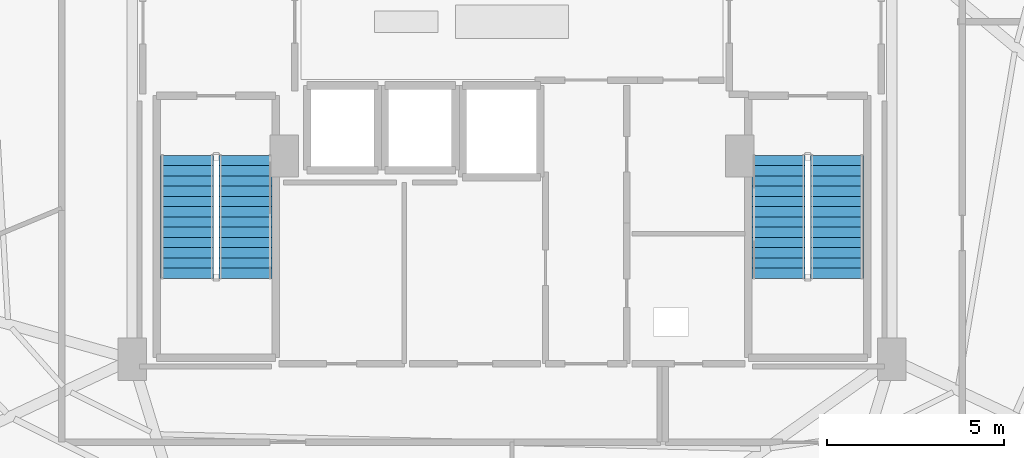
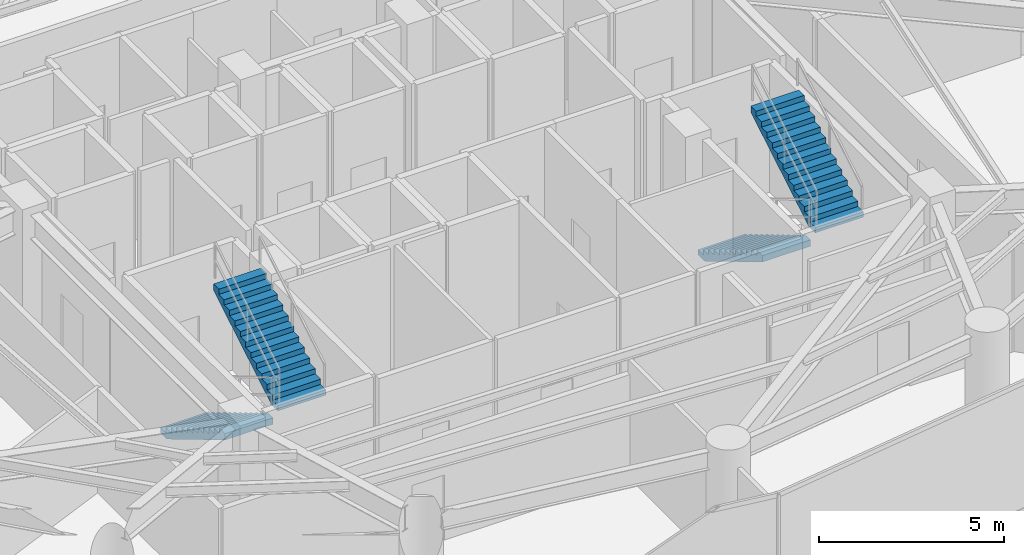
# One storey, part 23 of 27: 4 stair flights, 2 elements without a shape of their own.
"""IFC4 building model written with IfcOpenShell, lengths in metres."""

from ifc_helpers import new_model, si_unit, direction, frame, origin, place, context, subcontext, project, spatial, polyline, outline, extrude, material, type_object, element, aggregate, save


model = new_model("IFC4")

# Units and contexts
model_context = context("Model", 3, precision=1e-05, world=origin(), true_north=direction((0.0, 1.0)))
body_context = subcontext(model_context, "Body", "Model", "MODEL_VIEW")
ifc_project = project(units=[si_unit("LENGTHUNIT", "METRE"), si_unit("AREAUNIT", "SQUARE_METRE"), si_unit("VOLUMEUNIT", "CUBIC_METRE"), si_unit("PLANEANGLEUNIT", "RADIAN"), si_unit("MASSUNIT", "GRAM", prefix="KILO")], contexts=[model_context])

# Site, building, storey
site_placement = place(None, origin())
site = spatial("IfcSite", under=ifc_project, at=site_placement, CompositionType="ELEMENT")
building_placement = place(site_placement, origin())
building = spatial("IfcBuilding", under=site, at=building_placement, Name="Vorneva Point Tower", CompositionType="ELEMENT")
storey_placement = place(building_placement, frame((0.0, 0.0, 74.300048828125)))
storey = spatial("IfcBuildingStorey", under=building, at=storey_placement, Name="L19", CompositionType="ELEMENT", Elevation=74.300048828125)

# Stair, stair flights
ifc_material = material(Name="Concrete B50 (C40/50)", Category="concrete")
stair_type = type_object("IfcStairType", Name="ST-DOG-1500", PredefinedType="HALF_TURN_STAIR", material=ifc_material)
stair_1_placement = place(storey_placement, origin())
stair_1 = element("IfcStair", 1, at=stair_1_placement, inside=storey, type_object=stair_type, Name="L19 ST1", PredefinedType="HALF_TURN_STAIR")
stair_flight_type = type_object("IfcStairFlightType", Name="STF-1500", PredefinedType="STRAIGHT", material=ifc_material)
stair_flight_1_placement = place(storey_placement, frame((28.800048828125, 22.219970703125, 0.0), z_axis=(0.0, 0.0, 1.0), x_axis=(0.0, -1.0, 0.0)))
stair_flight_1 = element("IfcStairFlight", 2, at=stair_flight_1_placement, type_object=stair_flight_type, Name="ST1 flight 1", NumberOfRisers=13, NumberOfTreads=12, PredefinedType="STRAIGHT", RiserHeight=0.173076923, TreadLength=0.29, context=body_context, shape_type="SweptSolid", body=[
    extrude(outline(polyline([(0.0, 0.0), (0.0, 0.173095703125), (0.2900390625, 0.173095703125), (0.2900390625, 0.34619140625), (0.580078125, 0.34619140625), (0.580078125, 0.519287109375), (0.8701171875, 0.519287109375), (0.8701171875, 0.6923828125), (1.159912109375, 0.6923828125), (1.159912109375, 0.865478515625), (1.449951171875, 0.865478515625), (1.449951171875, 1.03857421875), (1.739990234375, 1.03857421875), (1.739990234375, 1.21142578125), (2.030029296875, 1.21142578125), (2.030029296875, 1.384521484375), (2.320068359375, 1.384521484375), (2.320068359375, 1.5576171875), (2.610107421875, 1.5576171875), (2.610107421875, 1.730712890625), (2.89990234375, 1.730712890625), (2.89990234375, 1.90380859375), (3.18994140625, 1.90380859375), (3.18994140625, 2.076904296875), (3.47998046875, 2.076904296875), (3.47998046875, 2.25), (3.47998046875, 1.867431640625), (0.35107421875, 0.0), (0.0, 0.0)])), frame((0.0, 0.75, 0.0), z_axis=(0.0, -1.0, 0.0), x_axis=(1.0, 0.0, 0.0)), (0.0, 0.0, 1.0), 1.5),
])
stair_flight_2_placement = place(storey_placement, frame((30.449951171875, 18.739990234375, 2.25), z_axis=(0.0, 0.0, 1.0), x_axis=(0.0, 1.0, 0.0)))
stair_flight_2 = element("IfcStairFlight", 3, at=stair_flight_2_placement, type_object=stair_flight_type, Name="ST1 flight 2", NumberOfRisers=13, NumberOfTreads=12, PredefinedType="STRAIGHT", RiserHeight=0.173076923, TreadLength=0.29, context=body_context, shape_type="SweptSolid", body=[
    extrude(outline(polyline([(0.0, 0.0), (0.0, 0.173095703125), (0.2900390625, 0.173095703125), (0.2900390625, 0.34619140625), (0.580078125, 0.34619140625), (0.580078125, 0.519287109375), (0.8701171875, 0.519287109375), (0.8701171875, 0.6923828125), (1.159912109375, 0.6923828125), (1.159912109375, 0.865478515625), (1.449951171875, 0.865478515625), (1.449951171875, 1.03857421875), (1.739990234375, 1.03857421875), (1.739990234375, 1.21142578125), (2.030029296875, 1.21142578125), (2.030029296875, 1.384521484375), (2.320068359375, 1.384521484375), (2.320068359375, 1.5576171875), (2.610107421875, 1.5576171875), (2.610107421875, 1.730712890625), (2.89990234375, 1.730712890625), (2.89990234375, 1.90380859375), (3.18994140625, 1.90380859375), (3.18994140625, 2.076904296875), (3.47998046875, 2.076904296875), (3.47998046875, 2.25), (3.47998046875, 1.867431640625), (0.35107421875, 0.0), (0.0, 0.0)])), frame((0.0, 0.75, 0.0), z_axis=(0.0, -1.0, 0.0), x_axis=(1.0, 0.0, 0.0)), (0.0, 0.0, 1.0), 1.5),
])
aggregate(stair_1, [stair_flight_1, stair_flight_2])

stair_2_placement = place(storey_placement, origin())
stair_2 = element("IfcStair", 4, at=stair_2_placement, inside=storey, type_object=stair_type, Name="L19 ST2", PredefinedType="HALF_TURN_STAIR")
stair_flight_3_placement = place(storey_placement, frame((45.550048828125, 22.219970703125, 0.0), z_axis=(0.0, 0.0, 1.0), x_axis=(0.0, -1.0, 0.0)))
stair_flight_3 = element("IfcStairFlight", 5, at=stair_flight_3_placement, type_object=stair_flight_type, Name="ST2 flight 1", NumberOfRisers=13, NumberOfTreads=12, PredefinedType="STRAIGHT", RiserHeight=0.173076923, TreadLength=0.29, context=body_context, shape_type="SweptSolid", body=[
    extrude(outline(polyline([(0.0, 0.0), (0.0, 0.173095703125), (0.2900390625, 0.173095703125), (0.2900390625, 0.34619140625), (0.580078125, 0.34619140625), (0.580078125, 0.519287109375), (0.8701171875, 0.519287109375), (0.8701171875, 0.6923828125), (1.159912109375, 0.6923828125), (1.159912109375, 0.865478515625), (1.449951171875, 0.865478515625), (1.449951171875, 1.03857421875), (1.739990234375, 1.03857421875), (1.739990234375, 1.21142578125), (2.030029296875, 1.21142578125), (2.030029296875, 1.384521484375), (2.320068359375, 1.384521484375), (2.320068359375, 1.5576171875), (2.610107421875, 1.5576171875), (2.610107421875, 1.730712890625), (2.89990234375, 1.730712890625), (2.89990234375, 1.90380859375), (3.18994140625, 1.90380859375), (3.18994140625, 2.076904296875), (3.47998046875, 2.076904296875), (3.47998046875, 2.25), (3.47998046875, 1.867431640625), (0.35107421875, 0.0), (0.0, 0.0)])), frame((0.0, 0.75, 0.0), z_axis=(0.0, -1.0, 0.0), x_axis=(1.0, 0.0, 0.0)), (0.0, 0.0, 1.0), 1.5),
])
stair_flight_4_placement = place(storey_placement, frame((47.199951171875, 18.739990234375, 2.25), z_axis=(0.0, 0.0, 1.0), x_axis=(0.0, 1.0, 0.0)))
stair_flight_4 = element("IfcStairFlight", 6, at=stair_flight_4_placement, type_object=stair_flight_type, Name="ST2 flight 2", NumberOfRisers=13, NumberOfTreads=12, PredefinedType="STRAIGHT", RiserHeight=0.173076923, TreadLength=0.29, context=body_context, shape_type="SweptSolid", body=[
    extrude(outline(polyline([(0.0, 0.0), (0.0, 0.173095703125), (0.2900390625, 0.173095703125), (0.2900390625, 0.34619140625), (0.580078125, 0.34619140625), (0.580078125, 0.519287109375), (0.8701171875, 0.519287109375), (0.8701171875, 0.6923828125), (1.159912109375, 0.6923828125), (1.159912109375, 0.865478515625), (1.449951171875, 0.865478515625), (1.449951171875, 1.03857421875), (1.739990234375, 1.03857421875), (1.739990234375, 1.21142578125), (2.030029296875, 1.21142578125), (2.030029296875, 1.384521484375), (2.320068359375, 1.384521484375), (2.320068359375, 1.5576171875), (2.610107421875, 1.5576171875), (2.610107421875, 1.730712890625), (2.89990234375, 1.730712890625), (2.89990234375, 1.90380859375), (3.18994140625, 1.90380859375), (3.18994140625, 2.076904296875), (3.47998046875, 2.076904296875), (3.47998046875, 2.25), (3.47998046875, 1.867431640625), (0.35107421875, 0.0), (0.0, 0.0)])), frame((0.0, 0.75, 0.0), z_axis=(0.0, -1.0, 0.0), x_axis=(1.0, 0.0, 0.0)), (0.0, 0.0, 1.0), 1.5),
])
aggregate(stair_2, [stair_flight_3, stair_flight_4])

save(model, "model.ifc")
